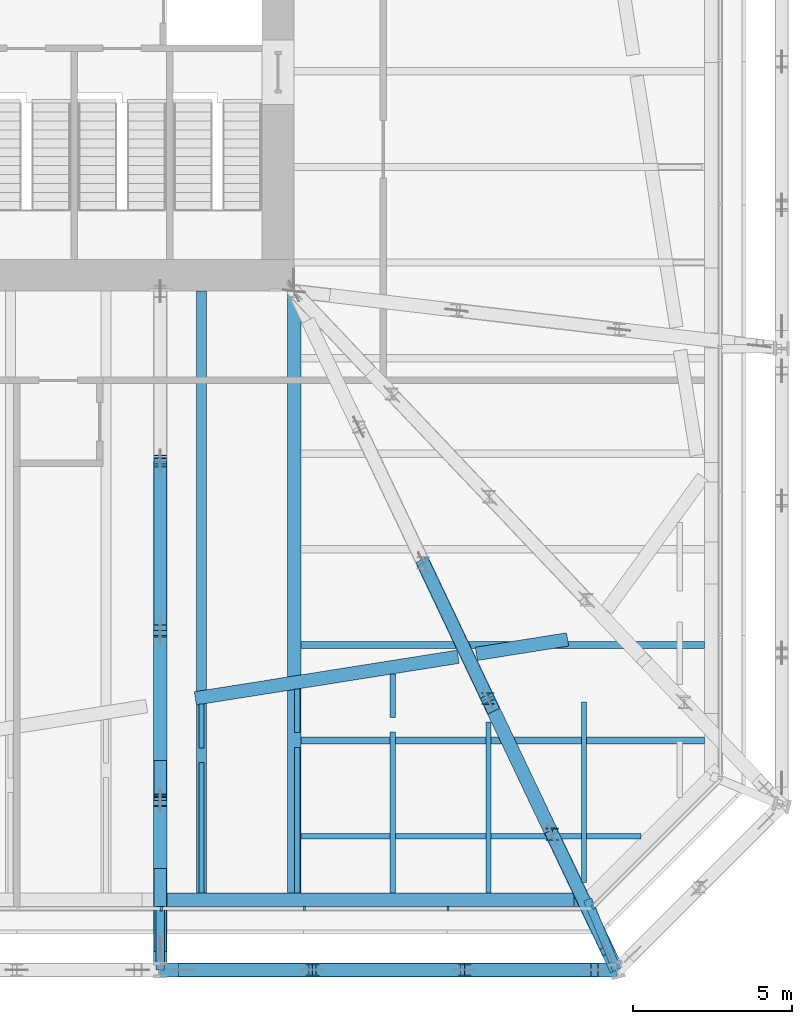
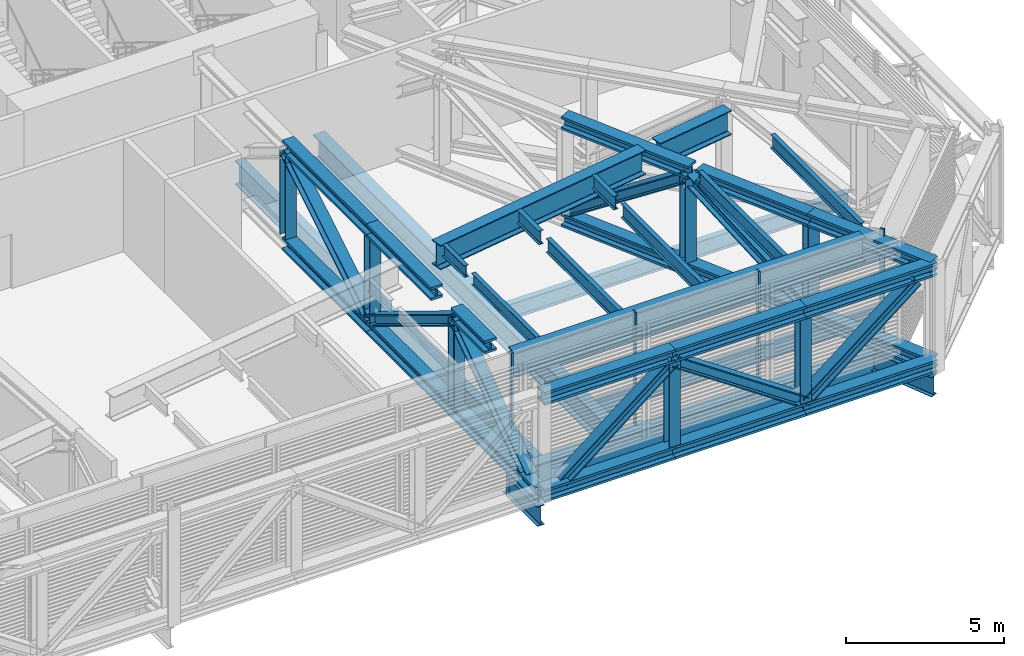
# One storey, part 9 of 31: 37 beams, 20 members, 2 elements without a shape of their own.
"""IFC4 building model written with IfcOpenShell, lengths in metres."""

from ifc_helpers import new_model, si_unit, direction, frame, origin, origin_2d, place, context, subcontext, project, spatial, rectangle, i_section, extrude, material, layer, layer_set, material_profile, profile_set, type_object, element, aggregate, save


model = new_model("IFC4")

# Units and contexts
model_context = context("Model", 3, precision=1e-05, world=origin(), true_north=direction((0.0, 1.0)))
body_context = subcontext(model_context, "Body", "Model", "MODEL_VIEW")
ifc_project = project(units=[si_unit("LENGTHUNIT", "METRE"), si_unit("AREAUNIT", "SQUARE_METRE"), si_unit("VOLUMEUNIT", "CUBIC_METRE"), si_unit("PLANEANGLEUNIT", "RADIAN"), si_unit("MASSUNIT", "GRAM", prefix="KILO")], contexts=[model_context])

# Site, building, storey
site_placement = place(None, origin())
site = spatial("IfcSite", under=ifc_project, at=site_placement, CompositionType="ELEMENT")
building_placement = place(site_placement, origin())
building = spatial("IfcBuilding", under=site, at=building_placement, Name="Millrace Tower", CompositionType="ELEMENT")
storey_placement = place(building_placement, frame((0.0, 0.0, 120.39990234375)))
storey = spatial("IfcBuildingStorey", under=building, at=storey_placement, Name="L26", CompositionType="ELEMENT", Elevation=120.39990234375)

# Beams
ifc_material_1 = material(Name="Steel ASTM A992 Grade 50", Category="steel")
ifc_material_profile_1 = material_profile(ifc_material_1, i_section(OverallWidth=0.431884765625, OverallDepth=0.497802734375, WebThickness=0.0556640625, FlangeThickness=0.0888671875, FilletRadius=0.01513671875, at=origin_2d()))
ifc_profile_set_1 = profile_set([ifc_material_profile_1], Name="Steel ASTM A992 Grade 50")
beam_type_1 = type_object("IfcBeamType", Name="Belt truss chord W14x500", PredefinedType="BEAM", material=ifc_profile_set_1)
for number, where, z_axis, x_axis, name in (
    (1, (10.699951171875, -31.199951171875, 0.2490234375), (1.0, 0.0, 0.0), (0.0, 1.0, 0.0), "BLT-L26-R04-B01"),
    (2, (10.699951171875, -31.199951171875, 3.9912109375), (1.0, 0.0, 0.0), (0.0, 1.0, 0.0), "BLT-L26-R04-T01"),
    (3, (15.47607421875, -31.199951171875, 0.2490234375), (1.0, 0.0, 0.0), (0.0, 1.0, 0.0), "BLT-L26-R04-B02"),
    (4, (15.47607421875, -31.199951171875, 3.9912109375), (1.0, 0.0, 0.0), (0.0, 1.0, 0.0), "BLT-L26-R04-T02"),
    (5, (20.252197265625, -31.199951171875, 0.2490234375), (1.0, 0.0, 0.0), (0.0, 1.0, 0.0), "BLT-L26-R04-B03"),
    (6, (20.252197265625, -31.199951171875, 3.9912109375), (1.0, 0.0, 0.0), (0.0, 1.0, 0.0), "BLT-L26-R04-T03"),
):
    element("IfcBeam", number, at=place(storey_placement, frame(where, z_axis=z_axis, x_axis=x_axis)), inside=storey, type_object=beam_type_1, Name=name, PredefinedType="BEAM", context=body_context, shape_type="SweptSolid", body=[
        extrude(i_section(OverallWidth=0.431884765625, OverallDepth=0.497802734375, WebThickness=0.0556640625, FlangeThickness=0.0888671875, FilletRadius=0.01513671875, at=origin_2d()), origin(), (0.0, 0.0, 1.0), 4.776123046875),
    ])

# Members
ifc_material_2 = material(Name="Steel ASTM A992 Grade 50", Category="steel")
ifc_material_profile_2 = material_profile(ifc_material_2, i_section(OverallWidth=0.4013671875, OverallDepth=0.398681640625, WebThickness=0.02490234375, FlangeThickness=0.03955078125, FilletRadius=0.01513671875, at=origin_2d()))
ifc_profile_set_2 = profile_set([ifc_material_profile_2], Name="Steel ASTM A992 Grade 50")
member_type_1 = type_object("IfcMemberType", Name="Belt truss diagonal W14x211", PredefinedType="BRACE", material=ifc_profile_set_2)
member_1_placement = place(storey_placement, frame((11.39990234375, -31.199951171875, 0.498046875), z_axis=(0.782439131655, 0.0, 0.62272707124), x_axis=(0.0, 1.0, 0.0)))
element("IfcMember", 7, at=member_1_placement, inside=storey, type_object=member_type_1, Name="BLT-L26-R04-D01", PredefinedType="BRACE", context=body_context, shape_type="SweptSolid", body=[
    extrude(i_section(OverallWidth=0.4013671875, OverallDepth=0.398681640625, WebThickness=0.02490234375, FlangeThickness=0.03955078125, FilletRadius=0.01513671875, at=origin_2d()), origin(), (0.0, 0.0, 1.0), 5.20947265625),
])
member_2_placement = place(storey_placement, frame((20.252197265625, -31.199951171875, 0.498046875), z_axis=(-0.827218174589, 0.0, 0.561880851809), x_axis=(0.0, -1.0, 0.0)))
element("IfcMember", 8, at=member_2_placement, inside=storey, type_object=member_type_1, Name="BLT-L26-R04-D02", PredefinedType="BRACE", context=body_context, shape_type="SweptSolid", body=[
    extrude(i_section(OverallWidth=0.4013671875, OverallDepth=0.398681640625, WebThickness=0.02490234375, FlangeThickness=0.03955078125, FilletRadius=0.01513671875, at=origin_2d()), origin(), (0.0, 0.0, 1.0), 5.773681640625),
])
member_3_placement = place(storey_placement, frame((20.252197265625, -31.199951171875, 0.498046875), z_axis=(0.782439131655, 0.0, 0.62272707124), x_axis=(0.0, 1.0, 0.0)))
element("IfcMember", 9, at=member_3_placement, inside=storey, type_object=member_type_1, Name="BLT-L26-R04-D03", PredefinedType="BRACE", context=body_context, shape_type="SweptSolid", body=[
    extrude(i_section(OverallWidth=0.4013671875, OverallDepth=0.398681640625, WebThickness=0.02490234375, FlangeThickness=0.03955078125, FilletRadius=0.01513671875, at=origin_2d()), origin(), (0.0, 0.0, 1.0), 5.20947265625),
])
ifc_material_3 = material(Name="Steel ASTM A992 Grade 50", Category="steel")
ifc_material_profile_3 = material_profile(ifc_material_3, i_section(OverallWidth=0.398681640625, OverallDepth=0.385986328125, WebThickness=0.02099609375, FlangeThickness=0.033203125, FilletRadius=0.01513671875, at=origin_2d()))
ifc_profile_set_3 = profile_set([ifc_material_profile_3], Name="Steel ASTM A992 Grade 50")
member_type_2 = type_object("IfcMemberType", Name="Belt truss post W14x176", PredefinedType="POST", material=ifc_profile_set_3)
for number, where, z_axis, x_axis, name in (
    (10, (15.47607421875, -31.199951171875, 0.498046875), (0.0, 0.0, 1.0), (1.0, 0.0, 0.0), "BLT-L26-R04-V01"),
    (11, (20.252197265625, -31.199951171875, 0.498046875), (0.0, 0.0, 1.0), (1.0, 0.0, 0.0), "BLT-L26-R04-V02"),
):
    element("IfcMember", number, at=place(storey_placement, frame(where, z_axis=z_axis, x_axis=x_axis)), inside=storey, type_object=member_type_2, Name=name, PredefinedType="POST", context=body_context, shape_type="SweptSolid", body=[
        extrude(i_section(OverallWidth=0.398681640625, OverallDepth=0.385986328125, WebThickness=0.02099609375, FlangeThickness=0.033203125, FilletRadius=0.01513671875, at=origin_2d()), origin(), (0.0, 0.0, 1.0), 3.244140625),
    ])

# Curtain wall, members
ifc_material_4 = material(Name="Aluminium and glass", Category="aluminium")
ifc_layer = layer(ifc_material_4, 0.14990234375)
ifc_layer_set = layer_set([ifc_layer], Name="Aluminium and glass")
curtain_wall_type = type_object("IfcCurtainWallType", Name="CW-5 truss and plant storey louvred infill", PredefinedType="NOTDEFINED", material=ifc_layer_set)
placement = place(storey_placement, origin())
curtain_wall_1 = element("IfcCurtainWall", 12, at=placement, inside=storey, type_object=curtain_wall_type, Name="Curtain wall B-F02 L26", PredefinedType="NOTDEFINED")
ifc_material_5 = material(Name="Aluminium", Category="aluminium")
ifc_material_profile_4 = material_profile(ifc_material_5, rectangle(XDim=0.06494140625, YDim=0.14990234375, at=origin_2d()))
ifc_profile_set_4 = profile_set([ifc_material_profile_4], Name="Aluminium")
member_type_3 = type_object("IfcMemberType", Name="CW-5 truss and plant storey louvred infill mullion", PredefinedType="MULLION", material=ifc_profile_set_4)
member_4_placement = place(storey_placement, frame((10.732421875, -29.27490234375, 0.14013671875), z_axis=(0.0, 0.0, 1.0), x_axis=(1.0, 0.0, 0.0)))
member_4 = element("IfcMember", 13, at=member_4_placement, type_object=member_type_3, Name="CW5 mullion B-F02.7", PredefinedType="MULLION", context=body_context, shape_type="SweptSolid", body=[
    extrude(rectangle(XDim=0.06494140625, YDim=0.14990234375, at=origin_2d()), origin(), (0.0, 0.0, 1.0), 4.35986328125),
])
member_5_placement = place(storey_placement, frame((15.232421875, -29.27490234375, 0.14013671875), z_axis=(0.0, 0.0, 1.0), x_axis=(1.0, 0.0, 0.0)))
member_5 = element("IfcMember", 14, at=member_5_placement, type_object=member_type_3, Name="CW5 mullion B-F02.8", PredefinedType="MULLION", context=body_context, shape_type="SweptSolid", body=[
    extrude(rectangle(XDim=0.06494140625, YDim=0.14990234375, at=origin_2d()), origin(), (0.0, 0.0, 1.0), 4.35986328125),
])
member_6_placement = place(storey_placement, frame((19.732421875, -29.27490234375, 0.14013671875), z_axis=(0.0, 0.0, 1.0), x_axis=(1.0, 0.0, 0.0)))
member_6 = element("IfcMember", 15, at=member_6_placement, type_object=member_type_3, Name="CW5 mullion B-F02.9", PredefinedType="MULLION", context=body_context, shape_type="SweptSolid", body=[
    extrude(rectangle(XDim=0.06494140625, YDim=0.14990234375, at=origin_2d()), origin(), (0.0, 0.0, 1.0), 4.35986328125),
])
aggregate(curtain_wall_1, [member_4, member_5, member_6])

# Curtain wall, member
curtain_wall_2 = element("IfcCurtainWall", 16, at=placement, inside=storey, type_object=curtain_wall_type, Name="Curtain wall B-F03 L26", PredefinedType="NOTDEFINED")
member_7_placement = place(storey_placement, frame((24.276123046875, -29.22998046875, 0.14013671875), z_axis=(0.0, 0.0, 1.0), x_axis=(0.707106781187, 0.707106781187, 0.0)))
member_7 = element("IfcMember", 17, at=member_7_placement, type_object=member_type_3, Name="CW5 mullion B-F03.1", PredefinedType="MULLION", context=body_context, shape_type="SweptSolid", body=[
    extrude(rectangle(XDim=0.06494140625, YDim=0.14990234375, at=origin_2d()), origin(), (0.0, 0.0, 1.0), 4.35986328125),
])
aggregate(curtain_wall_2, [member_7])

# Beams
ifc_material_6 = material(Name="Steel ASTM A992 Grade 50", Category="steel")
ifc_material_profile_5 = material_profile(ifc_material_6, i_section(OverallWidth=0.15234375, OverallDepth=0.449462890625, WebThickness=0.007568359375, FlangeThickness=0.0107421875, FilletRadius=0.01025390625, at=origin_2d()))
ifc_profile_set_5 = profile_set([ifc_material_profile_5], Name="Steel ASTM A992 Grade 50")
beam_type_2 = type_object("IfcBeamType", Name="Floor beam W18x35", PredefinedType="JOIST", material=ifc_profile_set_5)
beam_1_placement = place(storey_placement, frame((12.0, -28.7783203125, 4.115234375), z_axis=(0.0, 1.0, 0.0), x_axis=(-1.0, 0.0, 0.0)))
element("IfcBeam", 18, at=beam_1_placement, inside=storey, type_object=beam_type_2, Name="BM-B-L26-R1-S011-a", PredefinedType="JOIST", context=body_context, shape_type="SweptSolid", body=[
    extrude(i_section(OverallWidth=0.15234375, OverallDepth=0.449462890625, WebThickness=0.007568359375, FlangeThickness=0.0107421875, FilletRadius=0.01025390625, at=origin_2d()), origin(), (0.0, 0.0, 1.0), 4.094482421875),
])
beam_2_placement = place(storey_placement, frame((12.0, -24.230712890625, 4.115234375), z_axis=(0.0, 1.0, 0.0), x_axis=(-1.0, 0.0, 0.0)))
element("IfcBeam", 19, at=beam_2_placement, inside=storey, type_object=beam_type_2, Name="BM-B-L26-R1-S011-b", PredefinedType="JOIST", context=body_context, shape_type="SweptSolid", body=[
    extrude(i_section(OverallWidth=0.15234375, OverallDepth=0.449462890625, WebThickness=0.007568359375, FlangeThickness=0.0107421875, FilletRadius=0.01025390625, at=origin_2d()), origin(), (0.0, 0.0, 1.0), 1.371337890625),
])
ifc_material_7 = material(Name="Steel ASTM A992 Grade 50", Category="steel")
ifc_material_profile_6 = material_profile(ifc_material_7, i_section(OverallWidth=0.1650390625, OverallDepth=0.52587890625, WebThickness=0.0087890625, FlangeThickness=0.011474609375, FilletRadius=0.0126953125, at=origin_2d()))
ifc_profile_set_6 = profile_set([ifc_material_profile_6], Name="Steel ASTM A992 Grade 50")
beam_type_3 = type_object("IfcBeamType", Name="Floor beam W21x44", PredefinedType="JOIST", material=ifc_profile_set_6)
beam_3_placement = place(storey_placement, frame((15.0, -28.7783203125, 4.0771484375), z_axis=(0.0, 1.0, 0.0), x_axis=(-1.0, 0.0, 0.0)))
element("IfcBeam", 20, at=beam_3_placement, inside=storey, type_object=beam_type_3, Name="BM-B-L26-R1-S012-a", PredefinedType="JOIST", context=body_context, shape_type="SweptSolid", body=[
    extrude(i_section(OverallWidth=0.1650390625, OverallDepth=0.52587890625, WebThickness=0.0087890625, FlangeThickness=0.011474609375, FilletRadius=0.0126953125, at=origin_2d()), origin(), (0.0, 0.0, 1.0), 4.567138671875),
])
beam_4_placement = place(storey_placement, frame((15.0, -23.753173828125, 4.0771484375), z_axis=(0.0, 1.0, 0.0), x_axis=(-1.0, 0.0, 0.0)))
element("IfcBeam", 21, at=beam_4_placement, inside=storey, type_object=beam_type_3, Name="BM-B-L26-R1-S012-b", PredefinedType="JOIST", context=body_context, shape_type="SweptSolid", body=[
    extrude(i_section(OverallWidth=0.1650390625, OverallDepth=0.52587890625, WebThickness=0.0087890625, FlangeThickness=0.011474609375, FilletRadius=0.0126953125, at=origin_2d()), origin(), (0.0, 0.0, 1.0), 1.369140625),
])
beam_5_placement = place(storey_placement, frame((18.0, -28.7783203125, 4.0771484375), z_axis=(0.0, 1.0, 0.0), x_axis=(-1.0, 0.0, 0.0)))
element("IfcBeam", 22, at=beam_5_placement, inside=storey, type_object=beam_type_3, Name="BM-B-L26-R1-S013-a", PredefinedType="JOIST", context=body_context, shape_type="SweptSolid", body=[
    extrude(i_section(OverallWidth=0.1650390625, OverallDepth=0.52587890625, WebThickness=0.0087890625, FlangeThickness=0.011474609375, FilletRadius=0.0126953125, at=origin_2d()), origin(), (0.0, 0.0, 1.0), 5.042236328125),
])
beam_6_placement = place(storey_placement, frame((18.0, -23.278076171875, 4.0771484375), z_axis=(0.0, 1.0, 0.0), x_axis=(-1.0, 0.0, 0.0)))
element("IfcBeam", 23, at=beam_6_placement, inside=storey, type_object=beam_type_3, Name="BM-B-L26-R1-S013-b", PredefinedType="JOIST", context=body_context, shape_type="SweptSolid", body=[
    extrude(i_section(OverallWidth=0.1650390625, OverallDepth=0.52587890625, WebThickness=0.0087890625, FlangeThickness=0.011474609375, FilletRadius=0.0126953125, at=origin_2d()), origin(), (0.0, 0.0, 1.0), 1.369140625),
])
beam_7_placement = place(storey_placement, frame((21.0, -28.7783203125, 4.0771484375), z_axis=(0.0, 1.0, 0.0), x_axis=(-1.0, 0.0, 0.0)))
element("IfcBeam", 24, at=beam_7_placement, inside=storey, type_object=beam_type_3, Name="BM-B-L26-R1-S014", PredefinedType="JOIST", context=body_context, shape_type="SweptSolid", body=[
    extrude(i_section(OverallWidth=0.1650390625, OverallDepth=0.52587890625, WebThickness=0.0087890625, FlangeThickness=0.011474609375, FilletRadius=0.0126953125, at=origin_2d()), origin(), (0.0, 0.0, 1.0), 5.3671875),
])
beam_8_placement = place(storey_placement, frame((24.0, -28.45458984375, 4.0771484375), z_axis=(0.0, 1.0, 0.0), x_axis=(-1.0, 0.0, 0.0)))
element("IfcBeam", 25, at=beam_8_placement, inside=storey, type_object=beam_type_3, Name="BM-B-L26-R1-S015", PredefinedType="JOIST", context=body_context, shape_type="SweptSolid", body=[
    extrude(i_section(OverallWidth=0.1650390625, OverallDepth=0.52587890625, WebThickness=0.0087890625, FlangeThickness=0.011474609375, FilletRadius=0.0126953125, at=origin_2d()), origin(), (0.0, 0.0, 1.0), 5.6689453125),
])
ifc_material_8 = material(Name="Steel ASTM A992 Grade 50", Category="steel")
ifc_material_profile_7 = material_profile(ifc_material_8, i_section(OverallWidth=0.1787109375, OverallDepth=0.60205078125, WebThickness=0.010986328125, FlangeThickness=0.014892578125, FilletRadius=0.0126953125, at=origin_2d()))
ifc_profile_set_7 = profile_set([ifc_material_profile_7], Name="Steel ASTM A992 Grade 50")
beam_type_4 = type_object("IfcBeamType", Name="Floor beam W24x62", PredefinedType="JOIST", material=ifc_profile_set_7)
beam_9_placement = place(storey_placement, frame((15.112060546875, -27.0, -0.55078125), z_axis=(1.0, 0.0, 0.0), x_axis=(0.0, 1.0, 0.0)))
element("IfcBeam", 26, at=beam_9_placement, inside=storey, type_object=beam_type_4, Name="BM-B-L26-S1-S002", PredefinedType="JOIST", context=body_context, shape_type="SweptSolid", body=[
    extrude(i_section(OverallWidth=0.1787109375, OverallDepth=0.60205078125, WebThickness=0.010986328125, FlangeThickness=0.014892578125, FilletRadius=0.0126953125, at=origin_2d()), origin(), (0.0, 0.0, 1.0), 10.667724609375),
])
ifc_material_9 = material(Name="Steel ASTM A992 Grade 50", Category="steel")
ifc_material_profile_8 = material_profile(ifc_material_9, i_section(OverallWidth=0.228271484375, OverallDepth=0.607177734375, WebThickness=0.01123046875, FlangeThickness=0.017333984375, FilletRadius=0.0126953125, at=origin_2d()))
ifc_profile_set_8 = profile_set([ifc_material_profile_8], Name="Steel ASTM A992 Grade 50")
beam_type_5 = type_object("IfcBeamType", Name="Floor beam W24x76", PredefinedType="JOIST", material=ifc_profile_set_8)
for number, where, z_axis, x_axis, name in (
    (27, (15.112060546875, -24.0, -0.553466796875), (1.0, 0.0, 0.0), (0.0, 1.0, 0.0), "BM-B-L26-S1-S004"),
    (28, (15.112060546875, -21.0, -0.553466796875), (1.0, 0.0, 0.0), (0.0, 1.0, 0.0), "BM-B-L26-S1-S006"),
):
    element("IfcBeam", number, at=place(storey_placement, frame(where, z_axis=z_axis, x_axis=x_axis)), inside=storey, type_object=beam_type_5, Name=name, PredefinedType="JOIST", context=body_context, shape_type="SweptSolid", body=[
        extrude(i_section(OverallWidth=0.228271484375, OverallDepth=0.607177734375, WebThickness=0.01123046875, FlangeThickness=0.017333984375, FilletRadius=0.0126953125, at=origin_2d()), origin(), (0.0, 0.0, 1.0), 12.666259765625),
    ])
ifc_material_10 = material(Name="Steel ASTM A992 Grade 50", Category="steel")
ifc_material_profile_9 = material_profile(ifc_material_10, i_section(OverallWidth=0.307373046875, OverallDepth=0.927001953125, WebThickness=0.01953125, FlangeThickness=0.031982421875, FilletRadius=0.01904296875, at=origin_2d()))
ifc_profile_set_9 = profile_set([ifc_material_profile_9], Name="Steel ASTM A992 Grade 50")
beam_type_6 = type_object("IfcBeamType", Name="Floor beam W36x194", PredefinedType="JOIST", material=ifc_profile_set_9)
beam_10_placement = place(storey_placement, frame((12.0, -28.7783203125, -0.71337890625), z_axis=(0.0, 1.0, 0.0), x_axis=(-1.0, 0.0, 0.0)))
element("IfcBeam", 29, at=beam_10_placement, inside=storey, type_object=beam_type_6, Name="BM-B-L26-S1-S057", PredefinedType="JOIST", context=body_context, shape_type="SweptSolid", body=[
    extrude(i_section(OverallWidth=0.307373046875, OverallDepth=0.927001953125, WebThickness=0.01953125, FlangeThickness=0.031982421875, FilletRadius=0.01904296875, at=origin_2d()), origin(), (0.0, 0.0, 1.0), 18.87841796875),
])
ifc_material_11 = material(Name="Steel ASTM A992 Grade 50", Category="steel")
ifc_material_profile_10 = material_profile(ifc_material_11, i_section(OverallWidth=0.424072265625, OverallDepth=0.947509765625, WebThickness=0.02392578125, FlangeThickness=0.042724609375, FilletRadius=0.024169921875, at=origin_2d()))
ifc_profile_set_10 = profile_set([ifc_material_profile_10], Name="Steel ASTM A992 Grade 50")
beam_type_7 = type_object("IfcBeamType", Name="Girder medium span W36x302", PredefinedType="BEAM", material=ifc_profile_set_10)
beam_11_placement = place(storey_placement, frame((14.89990234375, -28.7783203125, -0.7236328125), z_axis=(0.0, 1.0, 0.0), x_axis=(-1.0, 0.0, 0.0)))
element("IfcBeam", 30, at=beam_11_placement, inside=storey, type_object=beam_type_7, Name="BM-B-L26-S1-G061", PredefinedType="BEAM", context=body_context, shape_type="SweptSolid", body=[
    extrude(i_section(OverallWidth=0.424072265625, OverallDepth=0.947509765625, WebThickness=0.02392578125, FlangeThickness=0.042724609375, FilletRadius=0.024169921875, at=origin_2d()), origin(), (0.0, 0.0, 1.0), 18.87841796875),
])
ifc_material_12 = material(Name="Steel ASTM A992 Grade 50", Category="steel")
ifc_material_profile_11 = material_profile(ifc_material_12, i_section(OverallWidth=0.2666015625, OverallDepth=0.7568359375, WebThickness=0.013916015625, FlangeThickness=0.019287109375, FilletRadius=0.0166015625, at=origin_2d()))
ifc_profile_set_11 = profile_set([ifc_material_profile_11], Name="Steel ASTM A992 Grade 50")
beam_type_8 = type_object("IfcBeamType", Name="Link beam W30x108", PredefinedType="BEAM", material=ifc_profile_set_11)
beam_12_placement = place(storey_placement, frame((24.11279296875, -28.9892578125, -0.62841796875), z_axis=(0.382622136773, -0.923904919595, 0.0), x_axis=(0.923904919595, 0.382622136773, 0.0)))
element("IfcBeam", 31, at=beam_12_placement, inside=storey, type_object=beam_type_8, Name="LNK-B-L26-S1-13", PredefinedType="BEAM", context=body_context, shape_type="SweptSolid", body=[
    extrude(i_section(OverallWidth=0.2666015625, OverallDepth=0.7568359375, WebThickness=0.013916015625, FlangeThickness=0.019287109375, FilletRadius=0.0166015625, at=origin_2d()), origin(), (0.0, 0.0, 1.0), 2.392822265625),
])
beam_13_placement = place(storey_placement, frame((10.699951171875, -29.199951171875, -0.62841796875), z_axis=(0.0, -1.0, 0.0), x_axis=(1.0, 0.0, 0.0)))
element("IfcBeam", 32, at=beam_13_placement, inside=storey, type_object=beam_type_8, Name="LNK-B-L26-S1-14", PredefinedType="BEAM", context=body_context, shape_type="SweptSolid", body=[
    extrude(i_section(OverallWidth=0.2666015625, OverallDepth=0.7568359375, WebThickness=0.013916015625, FlangeThickness=0.019287109375, FilletRadius=0.0166015625, at=origin_2d()), origin(), (0.0, 0.0, 1.0), 2.0),
])
ifc_material_13 = material(Name="Steel ASTM A992 Grade 50", Category="steel")
ifc_material_profile_12 = material_profile(ifc_material_13, i_section(OverallWidth=0.431884765625, OverallDepth=0.497802734375, WebThickness=0.0556640625, FlangeThickness=0.0888671875, FilletRadius=0.01513671875, at=origin_2d()))
ifc_profile_set_12 = profile_set([ifc_material_profile_12], Name="Steel ASTM A992 Grade 50")
beam_type_9 = type_object("IfcBeamType", Name="Outrigger truss chord W14x500", PredefinedType="BEAM", material=ifc_profile_set_12)
for number, where, z_axis, x_axis, name in (
    (33, (10.699951171875, -15.22509765625, 0.2490234375), (0.0, -1.0, 0.0), (1.0, 0.0, 0.0), "BLT-L26-O04-B02"),
    (34, (10.699951171875, -15.22509765625, 3.9912109375), (0.0, -1.0, 0.0), (1.0, 0.0, 0.0), "BLT-L26-O04-T02"),
    (35, (10.699951171875, -20.550048828125, 0.2490234375), (0.0, -1.0, 0.0), (1.0, 0.0, 0.0), "BLT-L26-O04-B03"),
    (36, (10.699951171875, -25.875, 0.2490234375), (0.0, -1.0, 0.0), (1.0, 0.0, 0.0), "BLT-L26-O04-B04"),
):
    element("IfcBeam", number, at=place(storey_placement, frame(where, z_axis=z_axis, x_axis=x_axis)), inside=storey, type_object=beam_type_9, Name=name, PredefinedType="BEAM", context=body_context, shape_type="SweptSolid", body=[
        extrude(i_section(OverallWidth=0.431884765625, OverallDepth=0.497802734375, WebThickness=0.0556640625, FlangeThickness=0.0888671875, FilletRadius=0.01513671875, at=origin_2d()), origin(), (0.0, 0.0, 1.0), 5.324951171875),
    ])
beam_14_placement = place(storey_placement, frame((18.951416015625, -18.419921875, 0.2490234375), z_axis=(0.429425225248, -0.903102417182, 0.0), x_axis=(0.903102417182, 0.429425225248, 0.0)))
element("IfcBeam", 37, at=beam_14_placement, inside=storey, type_object=beam_type_9, Name="BLT-L26-O05-B03", PredefinedType="BEAM", context=body_context, shape_type="SweptSolid", body=[
    extrude(i_section(OverallWidth=0.431884765625, OverallDepth=0.497802734375, WebThickness=0.0556640625, FlangeThickness=0.0888671875, FilletRadius=0.01513671875, at=origin_2d()), origin(), (0.0, 0.0, 1.0), 4.717041015625),
])
beam_15_placement = place(storey_placement, frame((18.951416015625, -18.419921875, 3.9912109375), z_axis=(0.429401732019, -0.903113587839, 0.0), x_axis=(0.903113587839, 0.429401732019, 0.0)))
element("IfcBeam", 38, at=beam_15_placement, inside=storey, type_object=beam_type_9, Name="BLT-L26-O05-T03", PredefinedType="BEAM", context=body_context, shape_type="SweptSolid", body=[
    extrude(i_section(OverallWidth=0.431884765625, OverallDepth=0.497802734375, WebThickness=0.0556640625, FlangeThickness=0.0888671875, FilletRadius=0.01513671875, at=origin_2d()), origin(), (0.0, 0.0, 1.0), 4.865234375),
])
for number, where, z_axis, x_axis, name in (
    (39, (20.97705078125, -22.679931640625, 0.2490234375), (0.429425225248, -0.903102417182, 0.0), (0.903102417182, 0.429425225248, 0.0), "BLT-L26-O05-B04"),
    (40, (23.002685546875, -26.93994140625, 0.2490234375), (0.429425225248, -0.903102417182, 0.0), (0.903102417182, 0.429425225248, 0.0), "BLT-L26-O05-B05"),
    (41, (23.002685546875, -26.93994140625, 3.9912109375), (0.429425225248, -0.903102417182, 0.0), (0.903102417182, 0.429425225248, 0.0), "BLT-L26-O05-T05"),
):
    element("IfcBeam", number, at=place(storey_placement, frame(where, z_axis=z_axis, x_axis=x_axis)), inside=storey, type_object=beam_type_9, Name=name, PredefinedType="BEAM", context=body_context, shape_type="SweptSolid", body=[
        extrude(i_section(OverallWidth=0.431884765625, OverallDepth=0.497802734375, WebThickness=0.0556640625, FlangeThickness=0.0888671875, FilletRadius=0.01513671875, at=origin_2d()), origin(), (0.0, 0.0, 1.0), 4.717041015625),
    ])
beam_16_placement = place(storey_placement, frame((10.699951171875, -20.550048828125, 3.9912109375), z_axis=(0.0, -1.0, 0.0), x_axis=(1.0, 0.0, 0.0)))
element("IfcBeam", 42, at=beam_16_placement, inside=storey, type_object=beam_type_9, Name="BLT-L26-O04-T03", PredefinedType="BEAM", context=body_context, shape_type="SweptSolid", body=[
    extrude(i_section(OverallWidth=0.431884765625, OverallDepth=0.497802734375, WebThickness=0.0556640625, FlangeThickness=0.0888671875, FilletRadius=0.01513671875, at=origin_2d()), origin(), (0.0, 0.0, 1.0), 4.069091796875),
])
beam_17_placement = place(storey_placement, frame((21.166015625, -23.0771484375, 3.9912109375), z_axis=(0.42940839821, -0.903110418247, 0.0), x_axis=(0.903110418247, 0.42940839821, 0.0)))
element("IfcBeam", 43, at=beam_17_placement, inside=storey, type_object=beam_type_9, Name="BLT-L26-O05-T04", PredefinedType="BEAM", context=body_context, shape_type="SweptSolid", body=[
    extrude(i_section(OverallWidth=0.431884765625, OverallDepth=0.497802734375, WebThickness=0.0556640625, FlangeThickness=0.0888671875, FilletRadius=0.01513671875, at=origin_2d()), origin(), (0.0, 0.0, 1.0), 4.277099609375),
])
beam_18_placement = place(storey_placement, frame((10.699951171875, -25.875, 3.9912109375), z_axis=(0.0, -1.0, 0.0), x_axis=(1.0, 0.0, 0.0)))
element("IfcBeam", 44, at=beam_18_placement, inside=storey, type_object=beam_type_9, Name="BLT-L26-O04-T04", PredefinedType="BEAM", context=body_context, shape_type="SweptSolid", body=[
    extrude(i_section(OverallWidth=0.431884765625, OverallDepth=0.497802734375, WebThickness=0.0556640625, FlangeThickness=0.0888671875, FilletRadius=0.01513671875, at=origin_2d()), origin(), (0.0, 0.0, 1.0), 2.136474609375),
])

# Members
ifc_material_14 = material(Name="Steel ASTM A992 Grade 50", Category="steel")
ifc_material_profile_13 = material_profile(ifc_material_14, i_section(OverallWidth=0.4013671875, OverallDepth=0.398681640625, WebThickness=0.02490234375, FlangeThickness=0.03955078125, FilletRadius=0.01513671875, at=origin_2d()))
ifc_profile_set_13 = profile_set([ifc_material_profile_13], Name="Steel ASTM A992 Grade 50")
member_type_4 = type_object("IfcMemberType", Name="Outrigger truss diagonal W14x211", PredefinedType="BRACE", material=ifc_profile_set_13)
for number, where, z_axis, x_axis, name in (
    (45, (10.699951171875, -20.550048828125, 0.498046875), (0.0, 0.853994347379, 0.520282283617), (-1.0, 0.0, 0.0), "BLT-L26-O04-D02"),
    (46, (10.699951171875, -20.550048828125, 0.498046875), (0.0, -0.853994347379, 0.520282283617), (1.0, 0.0, 0.0), "BLT-L26-O04-D03"),
):
    element("IfcMember", number, at=place(storey_placement, frame(where, z_axis=z_axis, x_axis=x_axis)), inside=storey, type_object=member_type_4, Name=name, PredefinedType="BRACE", context=body_context, shape_type="SweptSolid", body=[
        extrude(i_section(OverallWidth=0.4013671875, OverallDepth=0.398681640625, WebThickness=0.02490234375, FlangeThickness=0.03955078125, FilletRadius=0.01513671875, at=origin_2d()), origin(), (0.0, 0.0, 1.0), 6.2353515625),
    ])
member_8_placement = place(storey_placement, frame((10.699951171875, -30.5, 0.498046875), z_axis=(0.0, 0.818679307098, 0.574250983568), x_axis=(-1.0, 0.0, 0.0)))
element("IfcMember", 47, at=member_8_placement, inside=storey, type_object=member_type_4, Name="BLT-L26-O04-D04", PredefinedType="BRACE", context=body_context, shape_type="SweptSolid", body=[
    extrude(i_section(OverallWidth=0.4013671875, OverallDepth=0.398681640625, WebThickness=0.02490234375, FlangeThickness=0.03955078125, FilletRadius=0.01513671875, at=origin_2d()), origin(), (0.0, 0.0, 1.0), 5.6494140625),
])
for number, where, z_axis, x_axis, name in (
    (48, (18.951416015625, -18.419921875, 0.498046875), (0.353824270668, -0.744109882956, 0.566664687072), (0.903102417182, 0.429425225248, 0.0), "BLT-L26-O05-D03"),
    (49, (23.002685546875, -26.93994140625, 0.498046875), (-0.353824270668, 0.744109882956, 0.566664687072), (-0.903102417182, -0.429425225248, 0.0), "BLT-L26-O05-D04"),
):
    element("IfcMember", number, at=place(storey_placement, frame(where, z_axis=z_axis, x_axis=x_axis)), inside=storey, type_object=member_type_4, Name=name, PredefinedType="BRACE", context=body_context, shape_type="SweptSolid", body=[
        extrude(i_section(OverallWidth=0.4013671875, OverallDepth=0.398681640625, WebThickness=0.02490234375, FlangeThickness=0.03955078125, FilletRadius=0.01513671875, at=origin_2d()), origin(), (0.0, 0.0, 1.0), 5.724853515625),
    ])
member_9_placement = place(storey_placement, frame((23.002685546875, -26.93994140625, 0.498046875), z_axis=(0.334091178882, -0.702603300054, 0.628276759833), x_axis=(0.903100777379, 0.429428673819, 0.0)))
element("IfcMember", 50, at=member_9_placement, inside=storey, type_object=member_type_4, Name="BLT-L26-O05-D05", PredefinedType="BRACE", context=body_context, shape_type="SweptSolid", body=[
    extrude(i_section(OverallWidth=0.4013671875, OverallDepth=0.398681640625, WebThickness=0.02490234375, FlangeThickness=0.03955078125, FilletRadius=0.01513671875, at=origin_2d()), origin(), (0.0, 0.0, 1.0), 5.16357421875),
])
ifc_material_15 = material(Name="Steel ASTM A992 Grade 50", Category="steel")
ifc_material_profile_14 = material_profile(ifc_material_15, i_section(OverallWidth=0.398681640625, OverallDepth=0.385986328125, WebThickness=0.02099609375, FlangeThickness=0.033203125, FilletRadius=0.01513671875, at=origin_2d()))
ifc_profile_set_14 = profile_set([ifc_material_profile_14], Name="Steel ASTM A992 Grade 50")
member_type_5 = type_object("IfcMemberType", Name="Outrigger truss post W14x176", PredefinedType="POST", material=ifc_profile_set_14)
for number, where, z_axis, x_axis, name in (
    (51, (10.699951171875, -15.22509765625, 0.498046875), (0.0, 0.0, 1.0), (1.0, 0.0, 0.0), "BLT-L26-O04-V01"),
    (52, (10.699951171875, -20.550048828125, 0.498046875), (0.0, 0.0, 1.0), (1.0, 0.0, 0.0), "BLT-L26-O04-V02"),
    (53, (10.699951171875, -25.875, 0.498046875), (0.0, 0.0, 1.0), (1.0, 0.0, 0.0), "BLT-L26-O04-V03"),
    (54, (20.97705078125, -22.679931640625, 0.498046875), (0.0, 0.0, 1.0), (1.0, 0.0, 0.0), "BLT-L26-O05-V03"),
    (55, (23.002685546875, -26.93994140625, 0.498046875), (0.0, 0.0, 1.0), (1.0, 0.0, 0.0), "BLT-L26-O05-V04"),
):
    element("IfcMember", number, at=place(storey_placement, frame(where, z_axis=z_axis, x_axis=x_axis)), inside=storey, type_object=member_type_5, Name=name, PredefinedType="POST", context=body_context, shape_type="SweptSolid", body=[
        extrude(i_section(OverallWidth=0.398681640625, OverallDepth=0.385986328125, WebThickness=0.02099609375, FlangeThickness=0.033203125, FilletRadius=0.01513671875, at=origin_2d()), origin(), (0.0, 0.0, 1.0), 3.244140625),
    ])

# Beams
ifc_material_16 = material(Name="Steel ASTM A992 Grade 50", Category="steel")
ifc_material_profile_15 = material_profile(ifc_material_16, i_section(OverallWidth=0.421630859375, OverallDepth=0.937255859375, WebThickness=0.021240234375, FlangeThickness=0.03662109375, FilletRadius=0.024169921875, at=origin_2d()))
ifc_profile_set_15 = profile_set([ifc_material_profile_15], Name="Steel ASTM A992 Grade 50")
beam_type_10 = type_object("IfcBeamType", Name="Ring beam medium span W36x262", PredefinedType="SPANDREL", material=ifc_profile_set_15)
beam_19_placement = place(storey_placement, frame((24.11279296875, -28.9892578125, -0.718505859375), z_axis=(-1.0, 0.0, 0.0), x_axis=(0.0, -1.0, 0.0)))
element("IfcBeam", 56, at=beam_19_placement, inside=storey, type_object=beam_type_10, Name="RNG-B-L26-S1-13", PredefinedType="SPANDREL", context=body_context, shape_type="SweptSolid", body=[
    extrude(i_section(OverallWidth=0.421630859375, OverallDepth=0.937255859375, WebThickness=0.021240234375, FlangeThickness=0.03662109375, FilletRadius=0.024169921875, at=origin_2d()), origin(), (0.0, 0.0, 1.0), 13.412841796875),
])
beam_20_placement = place(storey_placement, frame((23.68212890625, -28.9892578125, 3.87158203125), z_axis=(-1.0, 0.0, 0.0), x_axis=(0.0, -1.0, 0.0)))
element("IfcBeam", 57, at=beam_20_placement, inside=storey, type_object=beam_type_10, Name="RNG-B-L26-R1-02", PredefinedType="SPANDREL", context=body_context, shape_type="SweptSolid", body=[
    extrude(i_section(OverallWidth=0.421630859375, OverallDepth=0.937255859375, WebThickness=0.021240234375, FlangeThickness=0.03662109375, FilletRadius=0.024169921875, at=origin_2d()), origin(), (0.0, 0.0, 1.0), 12.76611328125),
])
ifc_material_17 = material(Name="Steel ASTM A992 Grade 50", Category="steel")
ifc_material_profile_16 = material_profile(ifc_material_17, i_section(OverallWidth=0.421630859375, OverallDepth=0.937255859375, WebThickness=0.021240234375, FlangeThickness=0.03662109375, FilletRadius=0.024169921875, at=origin_2d()))
ifc_profile_set_16 = profile_set([ifc_material_profile_16], Name="Steel ASTM A992 Grade 50")
beam_type_11 = type_object("IfcBeamType", Name="Ring beam short span W36x262", PredefinedType="SPANDREL", material=ifc_profile_set_16)
beam_21_placement = place(storey_placement, frame((11.803466796875, -22.677001953125, 3.87158203125), z_axis=(0.987686009371, 0.156449183101, 0.0), x_axis=(-0.156449183101, 0.987686009371, 0.0)))
element("IfcBeam", 58, at=beam_21_placement, inside=storey, type_object=beam_type_11, Name="RNG-B-L26-R1-09-b-b-a", PredefinedType="SPANDREL", context=body_context, shape_type="SweptSolid", body=[
    extrude(i_section(OverallWidth=0.421630859375, OverallDepth=0.937255859375, WebThickness=0.021240234375, FlangeThickness=0.03662109375, FilletRadius=0.024169921875, at=origin_2d()), origin(), (0.0, 0.0, 1.0), 8.34716796875),
])
beam_22_placement = place(storey_placement, frame((20.61865234375, -21.28076171875, 3.87158203125), z_axis=(0.98768985596, 0.156424897106, 0.0), x_axis=(-0.156424897106, 0.98768985596, 0.0)))
element("IfcBeam", 59, at=beam_22_placement, inside=storey, type_object=beam_type_11, Name="RNG-B-L26-R1-09-b-b-b", PredefinedType="SPANDREL", context=body_context, shape_type="SweptSolid", body=[
    extrude(i_section(OverallWidth=0.421630859375, OverallDepth=0.937255859375, WebThickness=0.021240234375, FlangeThickness=0.03662109375, FilletRadius=0.024169921875, at=origin_2d()), origin(), (0.0, 0.0, 1.0), 2.9013671875),
])

save(model, "model.ifc")
